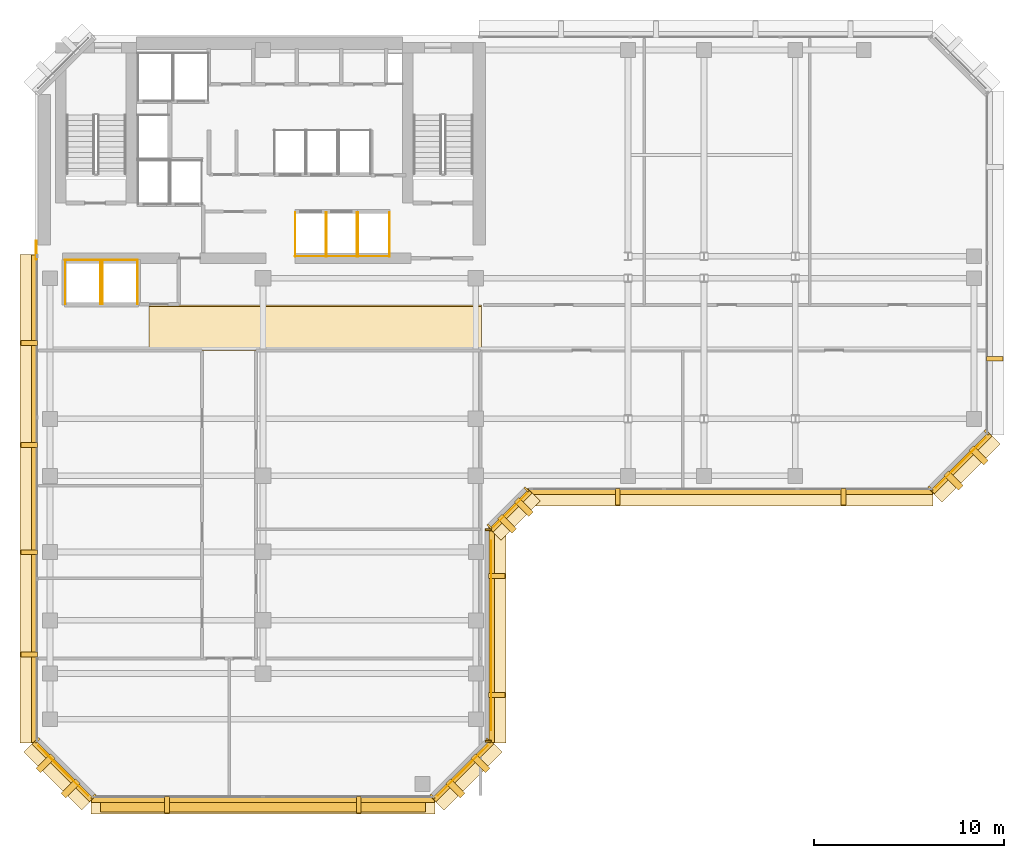
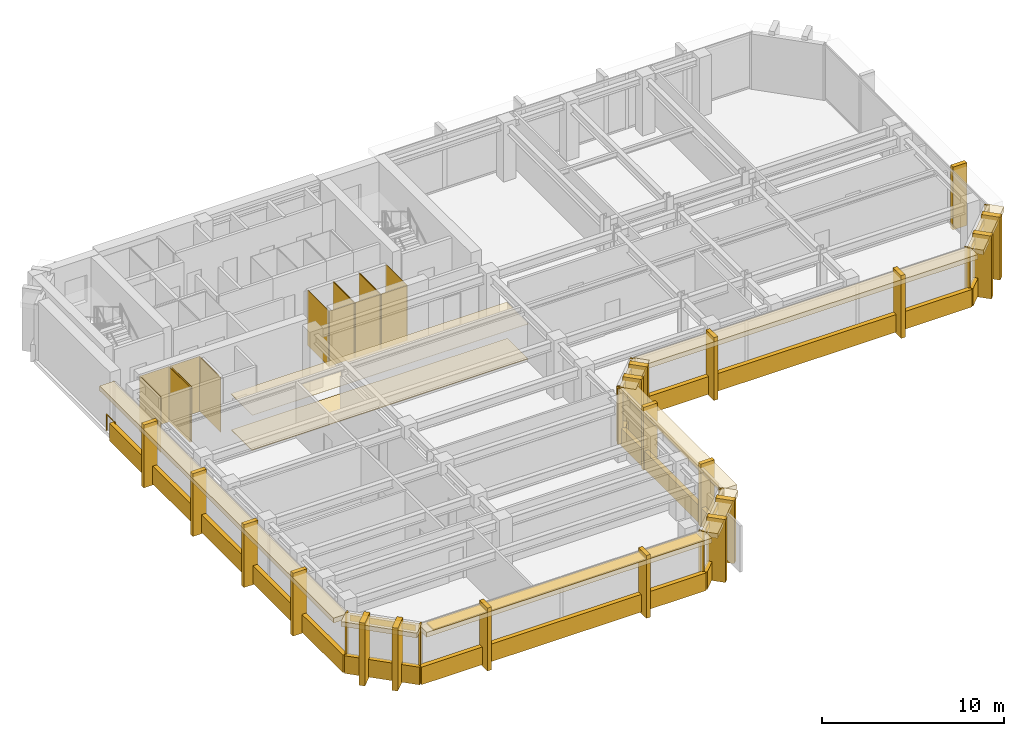
# One storey, part 9 of 12: 67 coverings, 1 railing, 1 shading device.
"""IFC4 building model written with IfcOpenShell, lengths in metres."""

from ifc_helpers import new_model, si_unit, direction, frame, origin, origin_2d, place, context, subcontext, project, spatial, polyline, rectangle, circle, outline, extrude, material, layer, layer_set, type_object, element, save


model = new_model("IFC4")

# Units and contexts
model_context = context("Model", 3, precision=1e-05, world=origin(), true_north=direction((0.0, 1.0)))
body_context = subcontext(model_context, "Body", "Model", "MODEL_VIEW")
ifc_project = project(units=[si_unit("LENGTHUNIT", "METRE"), si_unit("AREAUNIT", "SQUARE_METRE"), si_unit("VOLUMEUNIT", "CUBIC_METRE"), si_unit("PLANEANGLEUNIT", "RADIAN"), si_unit("MASSUNIT", "GRAM", prefix="KILO")], contexts=[model_context])

# Site, building, storey
site_placement = place(None, origin())
site = spatial("IfcSite", under=ifc_project, at=site_placement, CompositionType="ELEMENT")
building_placement = place(site_placement, origin())
building = spatial("IfcBuilding", under=site, at=building_placement, Name="Kefirva Bronze Tower", CompositionType="ELEMENT")
storey_placement = place(building_placement, frame((0.0, 0.0, 203.280029296875)))
storey = spatial("IfcBuildingStorey", under=building, at=storey_placement, Name="L49", CompositionType="ELEMENT", Elevation=203.280029296875)

# Coverings
ifc_material_1 = material(Name="Acoustic mineral tile")
ifc_layer_1 = layer(ifc_material_1, 0.02490234375, Name="Acoustic mineral tile")
ifc_layer_set_1 = layer_set([ifc_layer_1], Name="Acoustic mineral tile")
covering_type_1 = type_object("IfcCoveringType", Name="Acoustic Mineral Suspended Ceiling 25mm", PredefinedType="CEILING", material=ifc_layer_set_1)
covering_1_placement = place(storey_placement, frame((0.0, 0.0, 2.39990234375)))
element("IfcCovering", 1, at=covering_1_placement, inside=storey, type_object=covering_type_1, Name="L49 Corridor Acoustic Ceiling", PredefinedType="CEILING", context=body_context, shape_type="SweptSolid", body=[
    extrude(outline(polyline([(6.0, 29.39990234375), (23.5, 29.39990234375), (23.5, 31.800048828125), (6.0, 31.800048828125), (6.0, 29.39990234375)])), origin(), (0.0, 0.0, 1.0), 0.025146484375),
])
ifc_material_2 = material(Name="Bronze anodised aluminium", Category="aluminium")
ifc_layer_2 = layer(ifc_material_2, 0.02001953125, Name="Bronze anodised aluminium")
ifc_layer_set_2 = layer_set([ifc_layer_2], Name="Bronze anodised aluminium")
covering_type_2 = type_object("IfcCoveringType", Name="Anodised Bronze Spandrel Cladding 20mm", PredefinedType="CLADDING", material=ifc_layer_set_2)
covering_2_placement = place(storey_placement, frame((12.0, 5.760009765625, -0.16015625), z_axis=(0.0, 0.0, 1.0), x_axis=(1.0, 0.0, 0.0)))
element("IfcCovering", 2, at=covering_2_placement, inside=storey, type_object=covering_type_2, Name="L49 Streamline Horizontal Spandrel Band 0", PredefinedType="CLADDING", context=body_context, shape_type="SweptSolid", body=[
    extrude(rectangle(XDim=18.0400390625, YDim=0.280029296875, at=origin_2d()), origin(), (0.0, 0.0, 1.0), 1.179931640625),
])
covering_3_placement = place(storey_placement, frame((22.507080078125, 7.29296875, 3.2900390625), z_axis=(0.0, 0.0, 1.0), x_axis=(0.707106781187, 0.707106781187, 0.0)))
element("IfcCovering", 3, at=covering_3_placement, inside=storey, type_object=covering_type_2, Name="L49 Bronze Spandrel Cladding 1", PredefinedType="CLADDING", context=body_context, shape_type="SweptSolid", body=[
    extrude(rectangle(XDim=3.719482421875, YDim=0.02001953125, at=origin_2d()), origin(), (0.0, 0.0, 1.0), 0.39990234375),
])
for number, where, z_axis, x_axis, name in (
    (4, (20.91162109375, 5.93798828125, 0.0), (0.0, 0.0, 1.0), (0.707106781187, 0.707106781187, 0.0), "L49 Facade Joint Closure Panel 1S"),
    (5, (23.862060546875, 8.88818359375, 0.0), (0.0, 0.0, 1.0), (0.707106781187, 0.707106781187, 0.0), "L49 Facade Joint Closure Panel 1E"),
):
    element("IfcCovering", number, at=place(storey_placement, frame(where, z_axis=z_axis, x_axis=x_axis)), inside=storey, type_object=covering_type_2, Name=name, PredefinedType="CLADDING", context=body_context, shape_type="SweptSolid", body=[
        extrude(rectangle(XDim=0.10009765625, YDim=0.320068359375, at=origin_2d()), origin(), (0.0, 0.0, 1.0), 3.7099609375),
    ])
covering_4_placement = place(storey_placement, frame((22.5283203125, 7.271728515625, -0.16015625), z_axis=(0.0, 0.0, 1.0), x_axis=(0.707106781187, 0.707106781187, 0.0)))
element("IfcCovering", 6, at=covering_4_placement, inside=storey, type_object=covering_type_2, Name="L49 Streamline Horizontal Spandrel Band 1", PredefinedType="CLADDING", context=body_context, shape_type="SweptSolid", body=[
    extrude(rectangle(XDim=4.28271484375, YDim=0.280029296875, at=origin_2d()), origin(), (0.0, 0.0, 1.0), 1.179931640625),
])
covering_5_placement = place(storey_placement, frame((24.010009765625, 14.39990234375, 3.2900390625), z_axis=(0.0, 0.0, 1.0), x_axis=(0.0, 1.0, 0.0)))
element("IfcCovering", 7, at=covering_5_placement, inside=storey, type_object=covering_type_2, Name="L49 Bronze Spandrel Cladding 2", PredefinedType="CLADDING", context=body_context, shape_type="SweptSolid", body=[
    extrude(rectangle(XDim=9.98095703125, YDim=0.02001953125, at=origin_2d()), origin(), (0.0, 0.0, 1.0), 0.39990234375),
])
for number, where, z_axis, x_axis, name in (
    (8, (23.840087890625, 8.8349609375, 0.0), (0.0, 0.0, 1.0), (0.0, 1.0, 0.0), "L49 Facade Joint Closure Panel 2S"),
    (9, (23.840087890625, 19.965087890625, 0.0), (0.0, 0.0, 1.0), (0.0, 1.0, 0.0), "L49 Facade Joint Closure Panel 2E"),
):
    element("IfcCovering", number, at=place(storey_placement, frame(where, z_axis=z_axis, x_axis=x_axis)), inside=storey, type_object=covering_type_2, Name=name, PredefinedType="CLADDING", context=body_context, shape_type="SweptSolid", body=[
        extrude(rectangle(XDim=0.10009765625, YDim=0.320068359375, at=origin_2d()), origin(), (0.0, 0.0, 1.0), 3.7099609375),
    ])
covering_6_placement = place(storey_placement, frame((24.0400390625, 14.39990234375, -0.16015625), z_axis=(0.0, 0.0, 1.0), x_axis=(0.0, 1.0, 0.0)))
element("IfcCovering", 10, at=covering_6_placement, inside=storey, type_object=covering_type_2, Name="L49 Streamline Horizontal Spandrel Band 2", PredefinedType="CLADDING", context=body_context, shape_type="SweptSolid", body=[
    extrude(rectangle(XDim=11.239990234375, YDim=0.280029296875, at=origin_2d()), origin(), (0.0, 0.0, 1.0), 1.179931640625),
])
covering_7_placement = place(storey_placement, frame((25.007080078125, 20.992919921875, 3.2900390625), z_axis=(0.0, 0.0, 1.0), x_axis=(0.707106781187, 0.707106781187, 0.0)))
element("IfcCovering", 11, at=covering_7_placement, inside=storey, type_object=covering_type_2, Name="L49 Bronze Spandrel Cladding 3", PredefinedType="CLADDING", context=body_context, shape_type="SweptSolid", body=[
    extrude(rectangle(XDim=2.446533203125, YDim=0.02001953125, at=origin_2d()), origin(), (0.0, 0.0, 1.0), 0.39990234375),
])
for number, where, z_axis, x_axis, name in (
    (12, (23.91162109375, 20.137939453125, 0.0), (0.0, 0.0, 1.0), (0.707106781187, 0.707106781187, 0.0), "L49 Facade Joint Closure Panel 3S"),
    (13, (25.862060546875, 22.08837890625, 0.0), (0.0, 0.0, 1.0), (0.707106781187, 0.707106781187, 0.0), "L49 Facade Joint Closure Panel 3E"),
):
    element("IfcCovering", number, at=place(storey_placement, frame(where, z_axis=z_axis, x_axis=x_axis)), inside=storey, type_object=covering_type_2, Name=name, PredefinedType="CLADDING", context=body_context, shape_type="SweptSolid", body=[
        extrude(rectangle(XDim=0.10009765625, YDim=0.320068359375, at=origin_2d()), origin(), (0.0, 0.0, 1.0), 3.7099609375),
    ])
covering_8_placement = place(storey_placement, frame((25.0283203125, 20.9716796875, -0.16015625), z_axis=(0.0, 0.0, 1.0), x_axis=(0.707106781187, 0.707106781187, 0.0)))
element("IfcCovering", 14, at=covering_8_placement, inside=storey, type_object=covering_type_2, Name="L49 Streamline Horizontal Spandrel Band 3", PredefinedType="CLADDING", context=body_context, shape_type="SweptSolid", body=[
    extrude(rectangle(XDim=2.868408203125, YDim=0.280029296875, at=origin_2d()), origin(), (0.0, 0.0, 1.0), 1.179931640625),
])
covering_9_placement = place(storey_placement, frame((36.60009765625, 21.9599609375, -0.16015625), z_axis=(0.0, 0.0, 1.0), x_axis=(1.0, 0.0, 0.0)))
element("IfcCovering", 15, at=covering_9_placement, inside=storey, type_object=covering_type_2, Name="L49 Streamline Horizontal Spandrel Band 4", PredefinedType="CLADDING", context=body_context, shape_type="SweptSolid", body=[
    extrude(rectangle(XDim=21.239990234375, YDim=0.280029296875, at=origin_2d()), origin(), (0.0, 0.0, 1.0), 1.179931640625),
])
covering_10_placement = place(storey_placement, frame((48.70703125, 23.492919921875, 3.2900390625), z_axis=(0.0, 0.0, 1.0), x_axis=(0.707106781187, 0.707106781187, 0.0)))
element("IfcCovering", 16, at=covering_10_placement, inside=storey, type_object=covering_type_2, Name="L49 Bronze Spandrel Cladding 4", PredefinedType="CLADDING", context=body_context, shape_type="SweptSolid", body=[
    extrude(rectangle(XDim=3.719482421875, YDim=0.02001953125, at=origin_2d()), origin(), (0.0, 0.0, 1.0), 0.39990234375),
])
for number, where, z_axis, x_axis, name in (
    (17, (47.11181640625, 22.137939453125, 0.0), (0.0, 0.0, 1.0), (0.707106781187, 0.707106781187, 0.0), "L49 Facade Joint Closure Panel 4S"),
    (18, (50.06201171875, 25.08837890625, 0.0), (0.0, 0.0, 1.0), (0.707106781187, 0.707106781187, 0.0), "L49 Facade Joint Closure Panel 4E"),
):
    element("IfcCovering", number, at=place(storey_placement, frame(where, z_axis=z_axis, x_axis=x_axis)), inside=storey, type_object=covering_type_2, Name=name, PredefinedType="CLADDING", context=body_context, shape_type="SweptSolid", body=[
        extrude(rectangle(XDim=0.10009765625, YDim=0.320068359375, at=origin_2d()), origin(), (0.0, 0.0, 1.0), 3.7099609375),
    ])
covering_11_placement = place(storey_placement, frame((48.728271484375, 23.4716796875, -0.16015625), z_axis=(0.0, 0.0, 1.0), x_axis=(0.707106781187, 0.707106781187, 0.0)))
element("IfcCovering", 19, at=covering_11_placement, inside=storey, type_object=covering_type_2, Name="L49 Streamline Horizontal Spandrel Band 5", PredefinedType="CLADDING", context=body_context, shape_type="SweptSolid", body=[
    extrude(rectangle(XDim=4.28271484375, YDim=0.280029296875, at=origin_2d()), origin(), (0.0, 0.0, 1.0), 1.179931640625),
])
covering_12_placement = place(storey_placement, frame((-0.0400390625, 21.597412109375, -0.16015625), z_axis=(0.0, 0.0, 1.0), x_axis=(0.0, -1.0, 0.0)))
element("IfcCovering", 20, at=covering_12_placement, inside=storey, type_object=covering_type_2, Name="L49 Streamline Horizontal Spandrel Band 10", PredefinedType="CLADDING", context=body_context, shape_type="SweptSolid", body=[
    extrude(rectangle(XDim=25.635009765625, YDim=0.280029296875, at=origin_2d()), origin(), (0.0, 0.0, 1.0), 1.179931640625),
])
covering_13_placement = place(storey_placement, frame((1.492919921875, 7.29296875, 3.2900390625), z_axis=(0.0, 0.0, 1.0), x_axis=(0.707106781187, -0.707106781187, 0.0)))
element("IfcCovering", 21, at=covering_13_placement, inside=storey, type_object=covering_type_2, Name="L49 Bronze Spandrel Cladding 7", PredefinedType="CLADDING", context=body_context, shape_type="SweptSolid", body=[
    extrude(rectangle(XDim=3.719482421875, YDim=0.02001953125, at=origin_2d()), origin(), (0.0, 0.0, 1.0), 0.39990234375),
])
for number, where, z_axis, x_axis, name in (
    (22, (0.137939453125, 8.88818359375, 0.0), (0.0, 0.0, 1.0), (0.707106781187, -0.707106781187, 0.0), "L49 Facade Joint Closure Panel 7S"),
    (23, (3.08837890625, 5.93798828125, 0.0), (0.0, 0.0, 1.0), (0.707106781187, -0.707106781187, 0.0), "L49 Facade Joint Closure Panel 7E"),
):
    element("IfcCovering", number, at=place(storey_placement, frame(where, z_axis=z_axis, x_axis=x_axis)), inside=storey, type_object=covering_type_2, Name=name, PredefinedType="CLADDING", context=body_context, shape_type="SweptSolid", body=[
        extrude(rectangle(XDim=0.10009765625, YDim=0.320068359375, at=origin_2d()), origin(), (0.0, 0.0, 1.0), 3.7099609375),
    ])
covering_14_placement = place(storey_placement, frame((1.4716796875, 7.271728515625, -0.16015625), z_axis=(0.0, 0.0, 1.0), x_axis=(0.707106781187, -0.707106781187, 0.0)))
element("IfcCovering", 24, at=covering_14_placement, inside=storey, type_object=covering_type_2, Name="L49 Streamline Horizontal Spandrel Band 11", PredefinedType="CLADDING", context=body_context, shape_type="SweptSolid", body=[
    extrude(rectangle(XDim=4.28271484375, YDim=0.280029296875, at=origin_2d()), origin(), (0.0, 0.0, 1.0), 1.179931640625),
])
covering_15_placement = place(storey_placement, origin())
element("IfcCovering", 25, at=covering_15_placement, inside=storey, type_object=covering_type_2, Name="L49 Lift OB1 Hoistway Liner N", PredefinedType="CLADDING", context=body_context, shape_type="SweptSolid", body=[
    extrude(outline(polyline([(1.580078125, 34.139892578125), (3.469970703125, 34.139892578125), (3.469970703125, 34.159912109375), (1.580078125, 34.159912109375), (1.580078125, 34.139892578125)])), origin(), (0.0, 0.0, 1.0), 3.7099609375),
])
covering_16_placement = place(storey_placement, origin())
element("IfcCovering", 26, at=covering_16_placement, inside=storey, type_object=covering_type_2, Name="L49 Lift OB1 Hoistway Liner W", PredefinedType="CLADDING", context=body_context, shape_type="SweptSolid", body=[
    extrude(outline(polyline([(1.590087890625, 31.830078125), (1.610107421875, 31.830078125), (1.610107421875, 34.169921875), (1.590087890625, 34.169921875), (1.590087890625, 31.830078125)])), origin(), (0.0, 0.0, 1.0), 3.7099609375),
])
covering_17_placement = place(storey_placement, origin())
element("IfcCovering", 27, at=covering_17_placement, inside=storey, type_object=covering_type_2, Name="L49 Lift OB1 Hoistway Liner E", PredefinedType="CLADDING", context=body_context, shape_type="SweptSolid", body=[
    extrude(outline(polyline([(3.43994140625, 31.830078125), (3.4599609375, 31.830078125), (3.4599609375, 34.169921875), (3.43994140625, 34.169921875), (3.43994140625, 31.830078125)])), origin(), (0.0, 0.0, 1.0), 3.7099609375),
])
covering_18_placement = place(storey_placement, origin())
element("IfcCovering", 28, at=covering_18_placement, inside=storey, type_object=covering_type_2, Name="L49 Lift OB2 Hoistway Liner N", PredefinedType="CLADDING", context=body_context, shape_type="SweptSolid", body=[
    extrude(outline(polyline([(3.530029296875, 34.139892578125), (5.419921875, 34.139892578125), (5.419921875, 34.159912109375), (3.530029296875, 34.159912109375), (3.530029296875, 34.139892578125)])), origin(), (0.0, 0.0, 1.0), 3.7099609375),
])
covering_19_placement = place(storey_placement, origin())
element("IfcCovering", 29, at=covering_19_placement, inside=storey, type_object=covering_type_2, Name="L49 Lift OB2 Hoistway Liner W", PredefinedType="CLADDING", context=body_context, shape_type="SweptSolid", body=[
    extrude(outline(polyline([(3.5400390625, 31.830078125), (3.56005859375, 31.830078125), (3.56005859375, 34.169921875), (3.5400390625, 34.169921875), (3.5400390625, 31.830078125)])), origin(), (0.0, 0.0, 1.0), 3.7099609375),
])
covering_20_placement = place(storey_placement, origin())
element("IfcCovering", 30, at=covering_20_placement, inside=storey, type_object=covering_type_2, Name="L49 Lift OB2 Hoistway Liner E", PredefinedType="CLADDING", context=body_context, shape_type="SweptSolid", body=[
    extrude(outline(polyline([(5.389892578125, 31.830078125), (5.409912109375, 31.830078125), (5.409912109375, 34.169921875), (5.389892578125, 34.169921875), (5.389892578125, 31.830078125)])), origin(), (0.0, 0.0, 1.0), 3.7099609375),
])
covering_21_placement = place(storey_placement, origin())
element("IfcCovering", 31, at=covering_21_placement, inside=storey, type_object=covering_type_2, Name="L49 Lift MP1 Hoistway Liner S", PredefinedType="CLADDING", context=body_context, shape_type="SweptSolid", body=[
    extrude(outline(polyline([(13.679931640625, 34.340087890625), (15.320068359375, 34.340087890625), (15.320068359375, 34.360107421875), (13.679931640625, 34.360107421875), (13.679931640625, 34.340087890625)])), origin(), (0.0, 0.0, 1.0), 3.7099609375),
])
covering_22_placement = place(storey_placement, origin())
element("IfcCovering", 32, at=covering_22_placement, inside=storey, type_object=covering_type_2, Name="L49 Lift MP1 Hoistway Liner W", PredefinedType="CLADDING", context=body_context, shape_type="SweptSolid", body=[
    extrude(outline(polyline([(13.68994140625, 34.330078125), (13.7099609375, 34.330078125), (13.7099609375, 36.669921875), (13.68994140625, 36.669921875), (13.68994140625, 34.330078125)])), origin(), (0.0, 0.0, 1.0), 3.7099609375),
])
covering_23_placement = place(storey_placement, origin())
element("IfcCovering", 33, at=covering_23_placement, inside=storey, type_object=covering_type_2, Name="L49 Lift MP1 Hoistway Liner E", PredefinedType="CLADDING", context=body_context, shape_type="SweptSolid", body=[
    extrude(outline(polyline([(15.2900390625, 34.330078125), (15.31005859375, 34.330078125), (15.31005859375, 36.669921875), (15.2900390625, 36.669921875), (15.2900390625, 34.330078125)])), origin(), (0.0, 0.0, 1.0), 3.7099609375),
])
covering_24_placement = place(storey_placement, origin())
element("IfcCovering", 34, at=covering_24_placement, inside=storey, type_object=covering_type_2, Name="L49 Lift MP2 Hoistway Liner S", PredefinedType="CLADDING", context=body_context, shape_type="SweptSolid", body=[
    extrude(outline(polyline([(15.330078125, 34.340087890625), (16.969970703125, 34.340087890625), (16.969970703125, 34.360107421875), (15.330078125, 34.360107421875), (15.330078125, 34.340087890625)])), origin(), (0.0, 0.0, 1.0), 3.7099609375),
])
covering_25_placement = place(storey_placement, origin())
element("IfcCovering", 35, at=covering_25_placement, inside=storey, type_object=covering_type_2, Name="L49 Lift MP2 Hoistway Liner W", PredefinedType="CLADDING", context=body_context, shape_type="SweptSolid", body=[
    extrude(outline(polyline([(15.340087890625, 34.330078125), (15.360107421875, 34.330078125), (15.360107421875, 36.669921875), (15.340087890625, 36.669921875), (15.340087890625, 34.330078125)])), origin(), (0.0, 0.0, 1.0), 3.7099609375),
])
covering_26_placement = place(storey_placement, origin())
element("IfcCovering", 36, at=covering_26_placement, inside=storey, type_object=covering_type_2, Name="L49 Lift MP2 Hoistway Liner E", PredefinedType="CLADDING", context=body_context, shape_type="SweptSolid", body=[
    extrude(outline(polyline([(16.93994140625, 34.330078125), (16.9599609375, 34.330078125), (16.9599609375, 36.669921875), (16.93994140625, 36.669921875), (16.93994140625, 34.330078125)])), origin(), (0.0, 0.0, 1.0), 3.7099609375),
])
covering_27_placement = place(storey_placement, origin())
element("IfcCovering", 37, at=covering_27_placement, inside=storey, type_object=covering_type_2, Name="L49 Lift HP1 Hoistway Liner S", PredefinedType="CLADDING", context=body_context, shape_type="SweptSolid", body=[
    extrude(outline(polyline([(16.97998046875, 34.340087890625), (18.669921875, 34.340087890625), (18.669921875, 34.360107421875), (16.97998046875, 34.360107421875), (16.97998046875, 34.340087890625)])), origin(), (0.0, 0.0, 1.0), 3.7099609375),
])
covering_28_placement = place(storey_placement, origin())
element("IfcCovering", 38, at=covering_28_placement, inside=storey, type_object=covering_type_2, Name="L49 Lift HP1 Hoistway Liner W", PredefinedType="CLADDING", context=body_context, shape_type="SweptSolid", body=[
    extrude(outline(polyline([(16.989990234375, 34.330078125), (17.010009765625, 34.330078125), (17.010009765625, 36.669921875), (16.989990234375, 36.669921875), (16.989990234375, 34.330078125)])), origin(), (0.0, 0.0, 1.0), 3.7099609375),
])
covering_29_placement = place(storey_placement, origin())
element("IfcCovering", 39, at=covering_29_placement, inside=storey, type_object=covering_type_2, Name="L49 Lift HP1 Hoistway Liner E", PredefinedType="CLADDING", context=body_context, shape_type="SweptSolid", body=[
    extrude(outline(polyline([(18.639892578125, 34.330078125), (18.659912109375, 34.330078125), (18.659912109375, 36.669921875), (18.639892578125, 36.669921875), (18.639892578125, 34.330078125)])), origin(), (0.0, 0.0, 1.0), 3.7099609375),
])

# Shading device
ifc_layer_3 = layer(ifc_material_2, 0.090087890625, Name="Bronze anodised aluminium")
ifc_layer_set_3 = layer_set([ifc_layer_3], Name="Bronze anodised aluminium")
shading_device_type = type_object("IfcShadingDeviceType", Name="Horizontal Bronze Sunshade Band 750mm", PredefinedType="JALOUSIE", material=ifc_layer_set_3)
shading_device_placement = place(storey_placement, frame((12.0, 5.5048828125, 3.60498046875), z_axis=(0.0, 0.0, 1.0), x_axis=(1.0, 0.0, 0.0)))
element("IfcShadingDevice", 40, at=shading_device_placement, inside=storey, type_object=shading_device_type, Name="L49 Horizontal Bronze Sunshade Band 0", PredefinedType="JALOUSIE", context=body_context, shape_type="SweptSolid", body=[
    extrude(rectangle(XDim=17.090087890625, YDim=0.75, at=origin_2d()), origin(), (0.0, 0.0, 1.0), 0.090087890625),
])

# Railing
ifc_material_3 = material(Name="Stainless steel 316", Category="steel")
railing_type = type_object("IfcRailingType", Name="Interior Stair Guardrail 1100mm", PredefinedType="GUARDRAIL", material=ifc_material_3)
railing_placement = place(storey_placement, frame((0.080078125, 34.199951171875, 0.0)))
element("IfcRailing", 41, at=railing_placement, inside=storey, type_object=railing_type, Name="L49 West Core Junction Guardrail", PredefinedType="GUARDRAIL", context=body_context, shape_type="SweptSolid", body=[
    extrude(circle(Radius=0.02392578125, at=origin_2d()), frame((0.0, 0.0, 1.076171875), z_axis=(0.0, 1.0, 0.0), x_axis=(-1.0, 0.0, 0.0)), (0.0, 0.0, 1.0), 0.949951171875),
    extrude(circle(Radius=0.02099609375, at=origin_2d()), origin(), (0.0, 0.0, 1.0), 1.052001953125),
    extrude(circle(Radius=0.02099609375, at=origin_2d()), frame((0.0, 0.949951171875, 0.0)), (0.0, 0.0, 1.0), 1.052001953125),
])

# Coverings
ifc_material_4 = material(Name="Calcium sulphate access tile")
ifc_layer_4 = layer(ifc_material_4, 0.044921875, Name="Calcium sulphate access tile")
ifc_layer_set_4 = layer_set([ifc_layer_4], Name="Calcium sulphate access tile")
covering_type_3 = type_object("IfcCoveringType", Name="Raised Access Office Flooring 45mm", PredefinedType="FLOORING", material=ifc_layer_set_4)
covering_30_placement = place(storey_placement, origin())
element("IfcCovering", 42, at=covering_30_placement, inside=storey, type_object=covering_type_3, Name="L49 Architectural Finish Flooring", PredefinedType="FLOORING", context=body_context, shape_type="SweptSolid", body=[
    extrude(outline(polyline([(6.0, 29.47998046875), (23.5, 29.47998046875), (23.5, 31.719970703125), (6.0, 31.719970703125), (6.0, 29.47998046875)])), origin(), (0.0, 0.0, 1.0), 0.044921875),
])
ifc_layer_5 = layer(ifc_material_2, 0.179931640625, Name="Bronze anodised aluminium")
ifc_layer_set_5 = layer_set([ifc_layer_5], Name="Bronze anodised aluminium")
covering_type_4 = type_object("IfcCoveringType", Name="Streamline Bronze Sunshade Eyebrow Cladding 180mm", PredefinedType="CLADDING", material=ifc_layer_set_5)
covering_31_placement = place(storey_placement, frame((12.0, 5.489990234375, 3.39013671875), z_axis=(0.0, 0.0, 1.0), x_axis=(1.0, 0.0, 0.0)))
element("IfcCovering", 43, at=covering_31_placement, inside=storey, type_object=covering_type_4, Name="L49 Streamline Bronze Sunshade Eyebrow 0", PredefinedType="CLADDING", context=body_context, shape_type="SweptSolid", body=[
    extrude(rectangle(XDim=18.080078125, YDim=0.93994140625, at=origin_2d()), origin(), (0.0, 0.0, 1.0), 0.320068359375),
])
covering_32_placement = place(storey_placement, frame((22.71923828125, 7.080810546875, 3.39013671875), z_axis=(0.0, 0.0, 1.0), x_axis=(0.707106781187, 0.707106781187, 0.0)))
element("IfcCovering", 44, at=covering_32_placement, inside=storey, type_object=covering_type_4, Name="L49 Streamline Bronze Sunshade Eyebrow 1", PredefinedType="CLADDING", context=body_context, shape_type="SweptSolid", body=[
    extrude(rectangle(XDim=4.322509765625, YDim=0.93994140625, at=origin_2d()), origin(), (0.0, 0.0, 1.0), 0.320068359375),
])
covering_33_placement = place(storey_placement, frame((24.31005859375, 14.39990234375, 3.39013671875), z_axis=(0.0, 0.0, 1.0), x_axis=(0.0, 1.0, 0.0)))
element("IfcCovering", 45, at=covering_33_placement, inside=storey, type_object=covering_type_4, Name="L49 Streamline Bronze Sunshade Eyebrow 2", PredefinedType="CLADDING", context=body_context, shape_type="SweptSolid", body=[
    extrude(rectangle(XDim=11.280029296875, YDim=0.93994140625, at=origin_2d()), origin(), (0.0, 0.0, 1.0), 0.320068359375),
])
covering_34_placement = place(storey_placement, frame((25.21923828125, 20.78076171875, 3.39013671875), z_axis=(0.0, 0.0, 1.0), x_axis=(0.707106781187, 0.707106781187, 0.0)))
element("IfcCovering", 46, at=covering_34_placement, inside=storey, type_object=covering_type_4, Name="L49 Streamline Bronze Sunshade Eyebrow 3", PredefinedType="CLADDING", context=body_context, shape_type="SweptSolid", body=[
    extrude(rectangle(XDim=2.908447265625, YDim=0.93994140625, at=origin_2d()), origin(), (0.0, 0.0, 1.0), 0.320068359375),
])
covering_35_placement = place(storey_placement, frame((36.60009765625, 21.68994140625, 3.39013671875), z_axis=(0.0, 0.0, 1.0), x_axis=(1.0, 0.0, 0.0)))
element("IfcCovering", 47, at=covering_35_placement, inside=storey, type_object=covering_type_4, Name="L49 Streamline Bronze Sunshade Eyebrow 4", PredefinedType="CLADDING", context=body_context, shape_type="SweptSolid", body=[
    extrude(rectangle(XDim=21.280029296875, YDim=0.93994140625, at=origin_2d()), origin(), (0.0, 0.0, 1.0), 0.320068359375),
])
covering_36_placement = place(storey_placement, frame((48.919189453125, 23.28076171875, 3.39013671875), z_axis=(0.0, 0.0, 1.0), x_axis=(0.707106781187, 0.707106781187, 0.0)))
element("IfcCovering", 48, at=covering_36_placement, inside=storey, type_object=covering_type_4, Name="L49 Streamline Bronze Sunshade Eyebrow 5", PredefinedType="CLADDING", context=body_context, shape_type="SweptSolid", body=[
    extrude(rectangle(XDim=4.322509765625, YDim=0.93994140625, at=origin_2d()), origin(), (0.0, 0.0, 1.0), 0.320068359375),
])
covering_37_placement = place(storey_placement, frame((-0.31005859375, 21.597412109375, 3.39013671875), z_axis=(0.0, 0.0, 1.0), x_axis=(0.0, -1.0, 0.0)))
element("IfcCovering", 49, at=covering_37_placement, inside=storey, type_object=covering_type_4, Name="L49 Streamline Bronze Sunshade Eyebrow 10", PredefinedType="CLADDING", context=body_context, shape_type="SweptSolid", body=[
    extrude(rectangle(XDim=25.675048828125, YDim=0.93994140625, at=origin_2d()), origin(), (0.0, 0.0, 1.0), 0.320068359375),
])
covering_38_placement = place(storey_placement, frame((1.28076171875, 7.080810546875, 3.39013671875), z_axis=(0.0, 0.0, 1.0), x_axis=(0.707106781187, -0.707106781187, 0.0)))
element("IfcCovering", 50, at=covering_38_placement, inside=storey, type_object=covering_type_4, Name="L49 Streamline Bronze Sunshade Eyebrow 11", PredefinedType="CLADDING", context=body_context, shape_type="SweptSolid", body=[
    extrude(rectangle(XDim=4.322509765625, YDim=0.93994140625, at=origin_2d()), origin(), (0.0, 0.0, 1.0), 0.320068359375),
])
ifc_layer_6 = layer(ifc_material_2, 0.260009765625, Name="Bronze anodised aluminium")
ifc_layer_set_6 = layer_set([ifc_layer_6], Name="Bronze anodised aluminium")
covering_type_5 = type_object("IfcCoveringType", Name="Unbroken Bronze Buttress Fin Cladding 260mm", PredefinedType="CLADDING", material=ifc_layer_set_6)
for number, where, z_axis, x_axis, name in (
    (51, (6.9599609375, 5.5, -0.25), (0.0, 0.0, 1.0), (1.0, 0.0, 0.0), "L49 Unbroken Vertical Bronze Rib Fin 1"),
    (52, (17.0400390625, 5.5, -0.25), (0.0, 0.0, 1.0), (1.0, 0.0, 0.0), "L49 Unbroken Vertical Bronze Rib Fin 2"),
):
    element("IfcCovering", number, at=place(storey_placement, frame(where, z_axis=z_axis, x_axis=x_axis)), inside=storey, type_object=covering_type_5, Name=name, PredefinedType="CLADDING", context=body_context, shape_type="SweptSolid", body=[
        extrude(rectangle(XDim=0.260009765625, YDim=0.8798828125, at=origin_2d()), origin(), (0.0, 0.0, 1.0), 4.2099609375),
    ])
for number, where, z_axis, x_axis, name in (
    (53, (22.122802734375, 6.357177734375, -0.25), (0.0, 0.0, 1.0), (0.707106781187, 0.707106781187, 0.0), "L49 Chamfered Corner Buttress Fin Cladding 3"),
    (54, (23.44287109375, 7.67724609375, -0.25), (0.0, 0.0, 1.0), (0.707106781187, 0.707106781187, 0.0), "L49 Chamfered Corner Buttress Fin Cladding 4"),
):
    element("IfcCovering", number, at=place(storey_placement, frame(where, z_axis=z_axis, x_axis=x_axis)), inside=storey, type_object=covering_type_5, Name=name, PredefinedType="CLADDING", context=body_context, shape_type="SweptSolid", body=[
        extrude(rectangle(XDim=0.340087890625, YDim=1.080078125, at=origin_2d()), origin(), (0.0, 0.0, 1.0), 4.2099609375),
    ])
for number, where, z_axis, x_axis, name in (
    (55, (24.300048828125, 11.263916015625, -0.25), (0.0, 0.0, 1.0), (0.0, 1.0, 0.0), "L49 Unbroken Vertical Bronze Rib Fin 5"),
    (56, (24.300048828125, 17.535888671875, -0.25), (0.0, 0.0, 1.0), (0.0, 1.0, 0.0), "L49 Unbroken Vertical Bronze Rib Fin 6"),
):
    element("IfcCovering", number, at=place(storey_placement, frame(where, z_axis=z_axis, x_axis=x_axis)), inside=storey, type_object=covering_type_5, Name=name, PredefinedType="CLADDING", context=body_context, shape_type="SweptSolid", body=[
        extrude(rectangle(XDim=0.260009765625, YDim=0.8798828125, at=origin_2d()), origin(), (0.0, 0.0, 1.0), 4.2099609375),
    ])
for number, where, z_axis, x_axis, name in (
    (57, (24.8427734375, 20.277099609375, -0.25), (0.0, 0.0, 1.0), (0.707106781187, 0.707106781187, 0.0), "L49 Chamfered Corner Buttress Fin Cladding 7"),
    (58, (25.722900390625, 21.1572265625, -0.25), (0.0, 0.0, 1.0), (0.707106781187, 0.707106781187, 0.0), "L49 Chamfered Corner Buttress Fin Cladding 8"),
):
    element("IfcCovering", number, at=place(storey_placement, frame(where, z_axis=z_axis, x_axis=x_axis)), inside=storey, type_object=covering_type_5, Name=name, PredefinedType="CLADDING", context=body_context, shape_type="SweptSolid", body=[
        extrude(rectangle(XDim=0.340087890625, YDim=1.080078125, at=origin_2d()), origin(), (0.0, 0.0, 1.0), 4.2099609375),
    ])
for number, where, z_axis, x_axis, name in (
    (59, (30.6640625, 21.699951171875, -0.25), (0.0, 0.0, 1.0), (1.0, 0.0, 0.0), "L49 Unbroken Vertical Bronze Rib Fin 9"),
    (60, (42.535888671875, 21.699951171875, -0.25), (0.0, 0.0, 1.0), (1.0, 0.0, 0.0), "L49 Unbroken Vertical Bronze Rib Fin 10"),
):
    element("IfcCovering", number, at=place(storey_placement, frame(where, z_axis=z_axis, x_axis=x_axis)), inside=storey, type_object=covering_type_5, Name=name, PredefinedType="CLADDING", context=body_context, shape_type="SweptSolid", body=[
        extrude(rectangle(XDim=0.260009765625, YDim=0.8798828125, at=origin_2d()), origin(), (0.0, 0.0, 1.0), 4.2099609375),
    ])
for number, where, z_axis, x_axis, name in (
    (61, (48.32275390625, 22.55712890625, -0.25), (0.0, 0.0, 1.0), (0.707106781187, 0.707106781187, 0.0), "L49 Chamfered Corner Buttress Fin Cladding 11"),
    (62, (49.642822265625, 23.877197265625, -0.25), (0.0, 0.0, 1.0), (0.707106781187, 0.707106781187, 0.0), "L49 Chamfered Corner Buttress Fin Cladding 12"),
):
    element("IfcCovering", number, at=place(storey_placement, frame(where, z_axis=z_axis, x_axis=x_axis)), inside=storey, type_object=covering_type_5, Name=name, PredefinedType="CLADDING", context=body_context, shape_type="SweptSolid", body=[
        extrude(rectangle(XDim=0.340087890625, YDim=1.080078125, at=origin_2d()), origin(), (0.0, 0.0, 1.0), 4.2099609375),
    ])
for number, where, z_axis, x_axis, name in (
    (63, (50.5, 28.9599609375, -0.25), (0.0, 0.0, 1.0), (0.0, 1.0, 0.0), "L49 Unbroken Vertical Bronze Rib Fin 13"),
    (64, (-0.300048828125, 29.787841796875, -0.25), (0.0, 0.0, 1.0), (0.0, -1.0, 0.0), "L49 Unbroken Vertical Bronze Rib Fin 23"),
    (65, (-0.300048828125, 24.4130859375, -0.25), (0.0, 0.0, 1.0), (0.0, -1.0, 0.0), "L49 Unbroken Vertical Bronze Rib Fin 24"),
    (66, (-0.300048828125, 18.781982421875, -0.25), (0.0, 0.0, 1.0), (0.0, -1.0, 0.0), "L49 Unbroken Vertical Bronze Rib Fin 25"),
    (67, (-0.300048828125, 13.406982421875, -0.25), (0.0, 0.0, 1.0), (0.0, -1.0, 0.0), "L49 Unbroken Vertical Bronze Rib Fin 26"),
):
    element("IfcCovering", number, at=place(storey_placement, frame(where, z_axis=z_axis, x_axis=x_axis)), inside=storey, type_object=covering_type_5, Name=name, PredefinedType="CLADDING", context=body_context, shape_type="SweptSolid", body=[
        extrude(rectangle(XDim=0.260009765625, YDim=0.8798828125, at=origin_2d()), origin(), (0.0, 0.0, 1.0), 4.2099609375),
    ])
for number, where, z_axis, x_axis, name in (
    (68, (0.55712890625, 7.67724609375, -0.25), (0.0, 0.0, 1.0), (0.707106781187, -0.707106781187, 0.0), "L49 Chamfered Corner Buttress Fin Cladding 27"),
    (69, (1.877197265625, 6.357177734375, -0.25), (0.0, 0.0, 1.0), (0.707106781187, -0.707106781187, 0.0), "L49 Chamfered Corner Buttress Fin Cladding 28"),
):
    element("IfcCovering", number, at=place(storey_placement, frame(where, z_axis=z_axis, x_axis=x_axis)), inside=storey, type_object=covering_type_5, Name=name, PredefinedType="CLADDING", context=body_context, shape_type="SweptSolid", body=[
        extrude(rectangle(XDim=0.340087890625, YDim=1.080078125, at=origin_2d()), origin(), (0.0, 0.0, 1.0), 4.2099609375),
    ])

save(model, "model.ifc")
